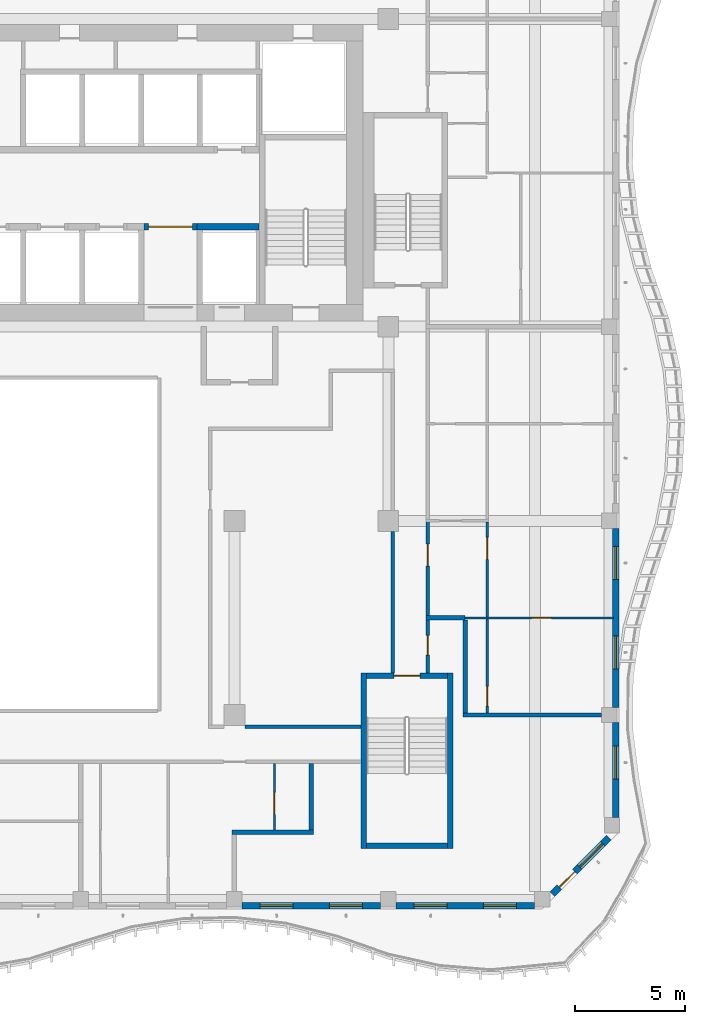
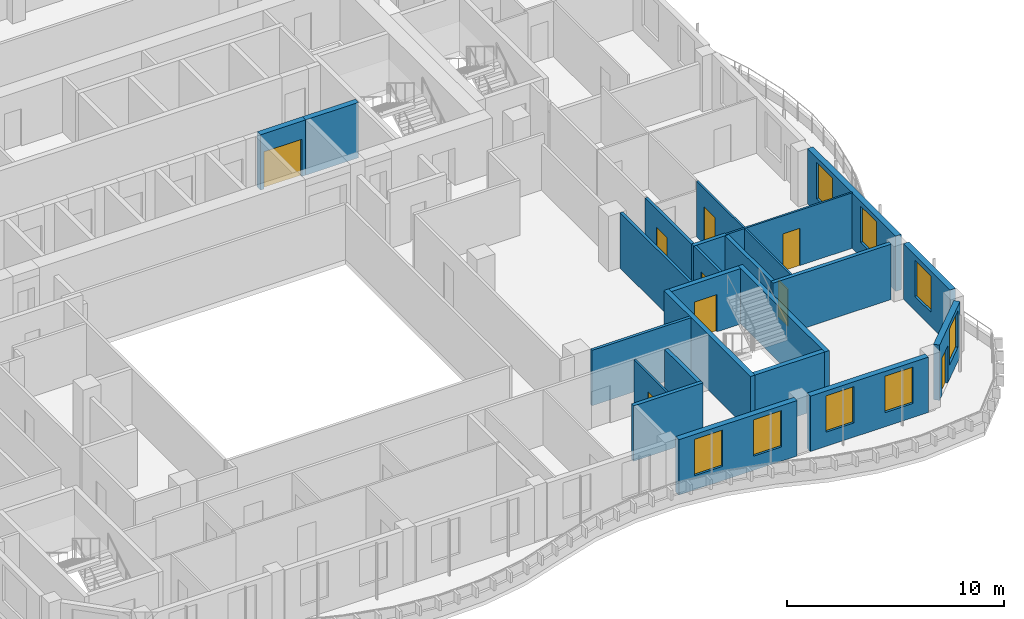
# One storey, part 5 of 20: 24 walls, 9 doors, 8 windows, 17 openings.
"""IFC4 building model written with IfcOpenShell, lengths in metres."""

from ifc_helpers import new_model, si_unit, direction, frame, frame_2d, origin, place, context, subcontext, project, spatial, rectangle, extrude, source, transform, mapped, material, layer, layer_set, type_object, element, fill, save


model = new_model("IFC4")

# Units and contexts
model_context = context("Model", 3, precision=1e-05, world=origin(), true_north=direction((0.0, 1.0)))
body_context = subcontext(model_context, "Body", "Model", "MODEL_VIEW")
ifc_project = project(units=[si_unit("LENGTHUNIT", "METRE"), si_unit("AREAUNIT", "SQUARE_METRE"), si_unit("VOLUMEUNIT", "CUBIC_METRE"), si_unit("PLANEANGLEUNIT", "RADIAN"), si_unit("MASSUNIT", "GRAM", prefix="KILO")], contexts=[model_context])

# Site, building, storey
site_placement = place(None, origin())
site = spatial("IfcSite", under=ifc_project, at=site_placement, CompositionType="ELEMENT")
building_placement = place(site_placement, origin())
building = spatial("IfcBuilding", under=site, at=building_placement, Name="Kilnfold Tower and Market Hall", CompositionType="ELEMENT")
storey_placement = place(building_placement, frame((0.0, 0.0, 239.0)))
storey = spatial("IfcBuildingStorey", under=building, at=storey_placement, Name="L57", CompositionType="ELEMENT", Elevation=239.0)

# Wall, opening, door
ifc_material_1 = material(Name="Gypsum board on steel studs", Category="steel")
ifc_layer_1 = layer(ifc_material_1, 0.14990234375)
ifc_layer_set_1 = layer_set([ifc_layer_1], Name="Gypsum board on steel studs")
wall_type_1 = type_object("IfcWallType", Name="WALL CORRIDOR 150", PredefinedType="PARTITIONING", material=ifc_layer_set_1)
wall_1_placement = place(storey_placement, frame((20.800048828125, -7.75, 0.0), z_axis=(0.0, 0.0, 1.0), x_axis=(0.0, 1.0, 0.0)))
wall_1 = element("IfcWall", 1, at=wall_1_placement, inside=storey, type_object=wall_type_1, Name="Partition LY35.12", PredefinedType="PARTITIONING", context=body_context, shape_type="SweptSolid", body=[
    extrude(rectangle(XDim=2.409912109375, YDim=0.14990234375, at=frame_2d((1.205078125, 0.0))), origin(), (0.0, 0.0, 1.0), 3.1201171875),
])
opening_1_placement = place(wall_1_placement, frame((0.804931640625, 0.0, 0.0)))
opening_1 = element("IfcOpeningElement", 2, at=opening_1_placement, cuts=wall_1, Name="Opening D2", PredefinedType="OPENING", context=body_context, shape_type="SweptSolid", body=[
    extrude(rectangle(XDim=0.89990234375, YDim=2.10009765625, at=frame_2d((0.449951171875, 1.050048828125))), frame((0.0, 0.0849609375, 0.0), z_axis=(0.0, -1.0, 0.0), x_axis=(1.0, 0.0, 0.0)), (0.0, 0.0, 1.0), 0.169921875),
])
ifc_material_2 = material(Name="Timber veneer door leaf in steel frame", Category="steel")
door_type_1 = type_object("IfcDoorType", Name="DOOR ROOM 900 X2100", OperationType="NOTDEFINED", PredefinedType="DOOR", material=ifc_material_2)
door_1_placement = place(opening_1_placement, origin())
door_1 = element("IfcDoor", 3, at=door_1_placement, inside=storey, type_object=door_type_1, Name="Door D2", OperationType="SINGLE_SWING_LEFT", OverallHeight=2.10009765625, OverallWidth=0.89990234375, PredefinedType="DOOR", context=body_context, shape_type="SweptSolid", body=[
    extrude(rectangle(XDim=0.89990234375, YDim=2.10009765625, at=frame_2d((0.449951171875, 1.050048828125))), frame((0.0, 0.02490234375, 0.0), z_axis=(0.0, -1.0, 0.0), x_axis=(1.0, 0.0, 0.0)), (0.0, 0.0, 1.0), 0.050048828125),
])
fill(opening_1, door_1)

wall_2_placement = place(storey_placement, frame((20.800048828125, -5.159912109375, 0.0), z_axis=(0.0, 0.0, 1.0), x_axis=(0.0, 1.0, 0.0)))
wall_2 = element("IfcWall", 4, at=wall_2_placement, inside=storey, type_object=wall_type_1, Name="Partition LY35.13", PredefinedType="PARTITIONING", context=body_context, shape_type="SweptSolid", body=[
    extrude(rectangle(XDim=4.286865234375, YDim=0.14990234375, at=frame_2d((2.1435546875, 0.0))), origin(), (0.0, 0.0, 1.0), 3.1201171875),
])
opening_2_placement = place(wall_2_placement, frame((2.261962890625, 0.0, 0.0)))
opening_2 = element("IfcOpeningElement", 5, at=opening_2_placement, cuts=wall_2, Name="Opening D1", PredefinedType="OPENING", context=body_context, shape_type="SweptSolid", body=[
    extrude(rectangle(XDim=1.0, YDim=2.10009765625, at=frame_2d((0.5, 1.050048828125))), frame((0.0, 0.0849609375, 0.0), z_axis=(0.0, -1.0, 0.0), x_axis=(1.0, 0.0, 0.0)), (0.0, 0.0, 1.0), 0.169921875),
])
ifc_material_3 = material(Name="Timber veneer door leaf in steel frame", Category="steel")
door_type_2 = type_object("IfcDoorType", Name="DOOR ENTRY 1000 X2100", OperationType="NOTDEFINED", PredefinedType="DOOR", material=ifc_material_3)
door_2_placement = place(opening_2_placement, origin())
door_2 = element("IfcDoor", 6, at=door_2_placement, inside=storey, type_object=door_type_2, Name="Door D1", OperationType="SINGLE_SWING_LEFT", OverallHeight=2.10009765625, OverallWidth=1.0, PredefinedType="DOOR", context=body_context, shape_type="SweptSolid", body=[
    extrude(rectangle(XDim=1.0, YDim=2.10009765625, at=frame_2d((0.5, 1.050048828125))), frame((0.0, 0.02490234375, 0.0), z_axis=(0.0, -1.0, 0.0), x_axis=(1.0, 0.0, 0.0)), (0.0, 0.0, 1.0), 0.050048828125),
])
fill(opening_2, door_2)

# Walls
wall_3_placement = place(storey_placement, frame((19.199951171875, -7.75, 0.0), z_axis=(0.0, 0.0, 1.0), x_axis=(0.0, 1.0, 0.0)))
element("IfcWall", 7, at=wall_3_placement, inside=storey, type_object=wall_type_1, Name="Partition LY35.40", PredefinedType="PARTITIONING", context=body_context, shape_type="SweptSolid", body=[
    extrude(rectangle(XDim=6.44189453125, YDim=0.14990234375, at=frame_2d((3.220947265625, 0.0))), origin(), (0.0, 0.0, 1.0), 3.1201171875),
])
wall_4_placement = place(storey_placement, frame((12.47509765625, -10.199951171875, 0.0), z_axis=(0.0, 0.0, 1.0), x_axis=(1.0, 0.0, 0.0)))
element("IfcWall", 8, at=wall_4_placement, inside=storey, type_object=wall_type_1, Name="Partition LY35.46", PredefinedType="PARTITIONING", context=body_context, shape_type="SweptSolid", body=[
    extrude(rectangle(XDim=5.27490234375, YDim=0.14990234375, at=frame_2d((2.637451171875, 0.0))), origin(), (0.0, 0.0, 1.0), 3.1201171875),
])

# Wall, opening, door
ifc_material_4 = material(Name="Gypsum board on steel studs", Category="steel")
ifc_layer_2 = layer(ifc_material_4, 0.10009765625)
ifc_layer_set_2 = layer_set([ifc_layer_2], Name="Gypsum board on steel studs")
wall_type_2 = type_object("IfcWallType", Name="WALL PARTITION 100", PredefinedType="PARTITIONING", material=ifc_layer_set_2)
wall_5_placement = place(storey_placement, frame((13.820068359375, -14.89990234375, 0.0), z_axis=(0.0, 0.0, 1.0), x_axis=(0.0, 1.0, 0.0)))
wall_5 = element("IfcWall", 9, at=wall_5_placement, inside=storey, type_object=wall_type_2, Name="Partition LY35.65", PredefinedType="PARTITIONING", context=body_context, shape_type="SweptSolid", body=[
    extrude(rectangle(XDim=3.02294921875, YDim=0.10009765625, at=frame_2d((1.511474609375, 0.0))), origin(), (0.0, 0.0, 1.0), 3.1201171875),
])
opening_3_placement = place(wall_5_placement, frame((0.70703125, 0.0, 0.0)))
opening_3 = element("IfcOpeningElement", 10, at=opening_3_placement, cuts=wall_5, Name="Opening D1", PredefinedType="OPENING", context=body_context, shape_type="SweptSolid", body=[
    extrude(rectangle(XDim=1.0, YDim=2.10009765625, at=frame_2d((0.5, 1.050048828125))), frame((0.0, 0.06005859375, 0.0), z_axis=(0.0, -1.0, 0.0), x_axis=(1.0, 0.0, 0.0)), (0.0, 0.0, 1.0), 0.1201171875),
])
door_3_placement = place(opening_3_placement, origin())
door_3 = element("IfcDoor", 11, at=door_3_placement, inside=storey, type_object=door_type_2, Name="Door D1", OperationType="SINGLE_SWING_RIGHT", OverallHeight=2.10009765625, OverallWidth=1.0, PredefinedType="DOOR", context=body_context, shape_type="SweptSolid", body=[
    extrude(rectangle(XDim=1.0, YDim=2.10009765625, at=frame_2d((0.5, 1.050048828125))), frame((0.0, 0.02490234375, 0.0), z_axis=(0.0, -1.0, 0.0), x_axis=(1.0, 0.0, 0.0)), (0.0, 0.0, 1.0), 0.050048828125),
])
fill(opening_3, door_3)

wall_6_placement = place(storey_placement, frame((22.5, -5.25, 0.0), z_axis=(0.0, 0.0, 1.0), x_axis=(1.0, 0.0, 0.0)))
wall_6 = element("IfcWall", 12, at=wall_6_placement, inside=storey, type_object=wall_type_2, Name="Partition LY35.72", PredefinedType="PARTITIONING", context=body_context, shape_type="SweptSolid", body=[
    extrude(rectangle(XDim=6.75, YDim=0.10009765625, at=frame_2d((3.375, 0.0))), origin(), (0.0, 0.0, 1.0), 3.1201171875),
])
opening_4_placement = place(wall_6_placement, frame((3.02197265625, 0.0, 0.0)))
opening_4 = element("IfcOpeningElement", 13, at=opening_4_placement, cuts=wall_6, Name="Opening D2", PredefinedType="OPENING", context=body_context, shape_type="SweptSolid", body=[
    extrude(rectangle(XDim=0.89990234375, YDim=2.10009765625, at=frame_2d((0.449951171875, 1.050048828125))), frame((0.0, 0.06005859375, 0.0), z_axis=(0.0, -1.0, 0.0), x_axis=(1.0, 0.0, 0.0)), (0.0, 0.0, 1.0), 0.1201171875),
])
door_4_placement = place(opening_4_placement, origin())
door_4 = element("IfcDoor", 14, at=door_4_placement, inside=storey, type_object=door_type_1, Name="Door D2", OperationType="SINGLE_SWING_RIGHT", OverallHeight=2.10009765625, OverallWidth=0.89990234375, PredefinedType="DOOR", context=body_context, shape_type="SweptSolid", body=[
    extrude(rectangle(XDim=0.89990234375, YDim=2.10009765625, at=frame_2d((0.449951171875, 1.050048828125))), frame((0.0, 0.02490234375, 0.0), z_axis=(0.0, -1.0, 0.0), x_axis=(1.0, 0.0, 0.0)), (0.0, 0.0, 1.0), 0.050048828125),
])
fill(opening_4, door_4)

wall_7_placement = place(storey_placement, frame((23.5, -9.56689453125, 0.0), z_axis=(0.0, 0.0, 1.0), x_axis=(0.0, 1.0, 0.0)))
wall_7 = element("IfcWall", 15, at=wall_7_placement, inside=storey, type_object=wall_type_2, Name="Partition LY35.73", PredefinedType="PARTITIONING", context=body_context, shape_type="SweptSolid", body=[
    extrude(rectangle(XDim=4.266845703125, YDim=0.10009765625, at=frame_2d((2.13330078125, 0.0))), origin(), (0.0, 0.0, 1.0), 3.1201171875),
])
opening_5_placement = place(wall_7_placement, frame((0.302001953125, 0.0, 0.0)))
opening_5 = element("IfcOpeningElement", 16, at=opening_5_placement, cuts=wall_7, Name="Opening D2", PredefinedType="OPENING", context=body_context, shape_type="SweptSolid", body=[
    extrude(rectangle(XDim=0.89990234375, YDim=2.10009765625, at=frame_2d((0.449951171875, 1.050048828125))), frame((0.0, 0.06005859375, 0.0), z_axis=(0.0, -1.0, 0.0), x_axis=(1.0, 0.0, 0.0)), (0.0, 0.0, 1.0), 0.1201171875),
])
door_5_placement = place(opening_5_placement, origin())
door_5 = element("IfcDoor", 17, at=door_5_placement, inside=storey, type_object=door_type_1, Name="Door D2", OperationType="SINGLE_SWING_RIGHT", OverallHeight=2.10009765625, OverallWidth=0.89990234375, PredefinedType="DOOR", context=body_context, shape_type="SweptSolid", body=[
    extrude(rectangle(XDim=0.89990234375, YDim=2.10009765625, at=frame_2d((0.449951171875, 1.050048828125))), frame((0.0, 0.02490234375, 0.0), z_axis=(0.0, -1.0, 0.0), x_axis=(1.0, 0.0, 0.0)), (0.0, 0.0, 1.0), 0.050048828125),
])
fill(opening_5, door_5)

wall_8_placement = place(storey_placement, frame((23.5, -5.199951171875, 0.0), z_axis=(0.0, 0.0, 1.0), x_axis=(0.0, 1.0, 0.0)))
wall_8 = element("IfcWall", 18, at=wall_8_placement, inside=storey, type_object=wall_type_2, Name="Partition LY35.75", PredefinedType="PARTITIONING", context=body_context, shape_type="SweptSolid", body=[
    extrude(rectangle(XDim=4.31689453125, YDim=0.10009765625, at=frame_2d((2.158447265625, 0.0))), origin(), (0.0, 0.0, 1.0), 3.1201171875),
])
opening_6_placement = place(wall_8_placement, frame((2.614013671875, 0.0, 0.0)))
opening_6 = element("IfcOpeningElement", 19, at=opening_6_placement, cuts=wall_8, Name="Opening D1", PredefinedType="OPENING", context=body_context, shape_type="SweptSolid", body=[
    extrude(rectangle(XDim=1.0, YDim=2.10009765625, at=frame_2d((0.5, 1.050048828125))), frame((0.0, 0.06005859375, 0.0), z_axis=(0.0, -1.0, 0.0), x_axis=(1.0, 0.0, 0.0)), (0.0, 0.0, 1.0), 0.1201171875),
])
door_6_placement = place(opening_6_placement, origin())
door_6 = element("IfcDoor", 20, at=door_6_placement, inside=storey, type_object=door_type_2, Name="Door D1", OperationType="SINGLE_SWING_LEFT", OverallHeight=2.10009765625, OverallWidth=1.0, PredefinedType="DOOR", context=body_context, shape_type="SweptSolid", body=[
    extrude(rectangle(XDim=1.0, YDim=2.10009765625, at=frame_2d((0.5, 1.050048828125))), frame((0.0, 0.02490234375, 0.0), z_axis=(0.0, -1.0, 0.0), x_axis=(1.0, 0.0, 0.0)), (0.0, 0.0, 1.0), 0.050048828125),
])
fill(opening_6, door_6)

# Walls
ifc_material_5 = material(Name="Gypsum board on steel studs", Category="steel")
ifc_layer_3 = layer(ifc_material_5, 0.199951171875)
ifc_layer_set_3 = layer_set([ifc_layer_3], Name="Gypsum board on steel studs")
wall_type_3 = type_object("IfcWallType", Name="WALL PARTY 200", PredefinedType="PARTITIONING", material=ifc_layer_set_3)
wall_9_placement = place(storey_placement, frame((11.89990234375, -15.0, 0.0), z_axis=(0.0, 0.0, 1.0), x_axis=(1.0, 0.0, 0.0)))
element("IfcWall", 21, at=wall_9_placement, inside=storey, type_object=wall_type_3, Name="Partition LY35.66", PredefinedType="PARTITIONING", context=body_context, shape_type="SweptSolid", body=[
    extrude(rectangle(XDim=3.7001953125, YDim=0.199951171875, at=frame_2d((1.85009765625, 0.0))), origin(), (0.0, 0.0, 1.0), 3.1201171875),
])
wall_10_placement = place(storey_placement, frame((15.5, -14.89990234375, 0.0), z_axis=(0.0, 0.0, 1.0), x_axis=(0.0, 1.0, 0.0)))
element("IfcWall", 22, at=wall_10_placement, inside=storey, type_object=wall_type_3, Name="Partition LY35.68", PredefinedType="PARTITIONING", context=body_context, shape_type="SweptSolid", body=[
    extrude(rectangle(XDim=3.02294921875, YDim=0.199951171875, at=frame_2d((1.511474609375, 0.0))), origin(), (0.0, 0.0, 1.0), 3.1201171875),
])
wall_11_placement = place(storey_placement, frame((22.5, -9.56689453125, 0.0), z_axis=(0.0, 0.0, 1.0), x_axis=(0.0, 1.0, 0.0)))
element("IfcWall", 23, at=wall_11_placement, inside=storey, type_object=wall_type_3, Name="Partition LY35.69", PredefinedType="PARTITIONING", context=body_context, shape_type="SweptSolid", body=[
    extrude(rectangle(XDim=4.216796875, YDim=0.199951171875, at=frame_2d((2.1083984375, 0.0))), origin(), (0.0, 0.0, 1.0), 3.1201171875),
])
wall_12_placement = place(storey_placement, frame((22.39990234375, -9.6669921875, 0.0), z_axis=(0.0, 0.0, 1.0), x_axis=(1.0, 0.0, 0.0)))
element("IfcWall", 24, at=wall_12_placement, inside=storey, type_object=wall_type_3, Name="Partition LY35.70", PredefinedType="PARTITIONING", context=body_context, shape_type="SweptSolid", body=[
    extrude(rectangle(XDim=6.300048828125, YDim=0.199951171875, at=frame_2d((3.14990234375, 0.0))), origin(), (0.0, 0.0, 1.0), 3.1201171875),
])
wall_13_placement = place(storey_placement, frame((20.72705078125, -5.25, 0.0), z_axis=(0.0, 0.0, 1.0), x_axis=(1.0, 0.0, 0.0)))
element("IfcWall", 25, at=wall_13_placement, inside=storey, type_object=wall_type_3, Name="Partition LY35.71", PredefinedType="PARTITIONING", context=body_context, shape_type="SweptSolid", body=[
    extrude(rectangle(XDim=1.77294921875, YDim=0.199951171875, at=frame_2d((0.886474609375, 0.0))), origin(), (0.0, 0.0, 1.0), 3.1201171875),
])
ifc_material_6 = material(Name="Concrete C60", Category="concrete")
ifc_layer_4 = layer(ifc_material_6, 0.25)
ifc_layer_set_4 = layer_set([ifc_layer_4], Name="Concrete C60")
wall_type_4 = type_object("IfcWallType", Name="CORE WALL 250 C60", PredefinedType="SHEAR", material=ifc_layer_set_4)
shared_shape_1 = source(origin(), body_context, "Body", "SweptSolid", [
    extrude(rectangle(XDim=3.699951171875, YDim=0.25, at=frame_2d((1.85009765625, 0.0))), origin(), (0.0, 0.0, 1.0), 3.1201171875),
])
wall_14_placement = place(storey_placement, frame((18.0, -15.625, 0.0), z_axis=(0.0, 0.0, 1.0), x_axis=(1.0, 0.0, 0.0)))
element("IfcWall", 26, at=wall_14_placement, inside=storey, type_object=wall_type_4, Name="Stair enclosure ST4", PredefinedType="SHEAR", context=body_context, shape_type="MappedRepresentation", body=[
    mapped(shared_shape_1, transform((0.0, 0.0, 0.0))),
])

# Wall, opening, door
wall_15_placement = place(storey_placement, frame((18.0, -7.875, 0.0), z_axis=(0.0, 0.0, 1.0), x_axis=(1.0, 0.0, 0.0)))
wall_15 = element("IfcWall", 27, at=wall_15_placement, inside=storey, type_object=wall_type_4, Name="Stair enclosure ST4", PredefinedType="SHEAR", context=body_context, shape_type="MappedRepresentation", body=[
    mapped(shared_shape_1, transform((0.0, 0.0, 0.0))),
])
opening_7_placement = place(wall_15_placement, frame((1.25, 0.0, 0.0)))
opening_7 = element("IfcOpeningElement", 28, at=opening_7_placement, cuts=wall_15, Name="Opening SD1", PredefinedType="OPENING", context=body_context, shape_type="SweptSolid", body=[
    extrude(rectangle(XDim=1.199951171875, YDim=2.10009765625, at=frame_2d((0.60009765625, 1.050048828125))), frame((0.0, 0.135009765625, 0.0), z_axis=(0.0, -1.0, 0.0), x_axis=(1.0, 0.0, 0.0)), (0.0, 0.0, 1.0), 0.27001953125),
])
ifc_material_7 = material(Name="Steel door set with fire-resisting leaf", Category="steel")
door_type_3 = type_object("IfcDoorType", Name="STAIR FLOOR DOOR 1200X2100", OperationType="NOTDEFINED", PredefinedType="DOOR", material=ifc_material_7)
door_7_placement = place(opening_7_placement, origin())
door_7 = element("IfcDoor", 29, at=door_7_placement, inside=storey, type_object=door_type_3, Name="Exit stair ST4 door", OperationType="DOUBLE_DOOR_SINGLE_SWING", OverallHeight=2.10009765625, OverallWidth=1.199951171875, PredefinedType="DOOR", context=body_context, shape_type="SweptSolid", body=[
    extrude(rectangle(XDim=1.199951171875, YDim=2.10009765625, at=frame_2d((0.60009765625, 1.050048828125))), frame((0.0, 0.02490234375, 0.0), z_axis=(0.0, -1.0, 0.0), x_axis=(1.0, 0.0, 0.0)), (0.0, 0.0, 1.0), 0.050048828125),
])
fill(opening_7, door_7)

# Walls
shared_shape_2 = source(origin(), body_context, "Body", "SweptSolid", [
    extrude(rectangle(XDim=8.0, YDim=0.25, at=frame_2d((4.0, 0.0))), origin(), (0.0, 0.0, 1.0), 3.1201171875),
])
for number, where, z_axis, x_axis, name in (
    (30, (17.875, -15.75, 0.0), (0.0, 0.0, 1.0), (0.0, 1.0, 0.0), "Stair enclosure ST4"),
    (31, (21.824951171875, -15.75, 0.0), (0.0, 0.0, 1.0), (0.0, 1.0, 0.0), "Stair enclosure ST4"),
):
    element("IfcWall", number, at=place(storey_placement, frame(where, z_axis=z_axis, x_axis=x_axis)), inside=storey, type_object=wall_type_4, Name=name, PredefinedType="SHEAR", context=body_context, shape_type="MappedRepresentation", body=[
        mapped(shared_shape_2, transform((0.0, 0.0, 0.0))),
    ])
ifc_material_8 = material(Name="Concrete C60", Category="concrete")
ifc_layer_5 = layer(ifc_material_8, 0.300048828125)
ifc_layer_set_5 = layer_set([ifc_layer_5], Name="Concrete C60")
wall_type_5 = type_object("IfcWallType", Name="CORE WALL 300 C60", PredefinedType="SHEAR", material=ifc_layer_set_5)
shared_shape_3 = source(origin(), body_context, "Body", "SweptSolid", [
    extrude(rectangle(XDim=2.820068359375, YDim=0.300048828125, at=frame_2d((1.41015625, 0.0))), origin(), (0.0, 0.0, 1.0), 3.1201171875),
])
wall_16_placement = place(storey_placement, frame((10.2900390625, 12.550048828125, 0.0), z_axis=(0.0, 0.0, 1.0), x_axis=(1.0, 0.0, 0.0)))
element("IfcWall", 32, at=wall_16_placement, inside=storey, type_object=wall_type_5, Name="Core spine wall", PredefinedType="SHEAR", context=body_context, shape_type="MappedRepresentation", body=[
    mapped(shared_shape_3, transform((0.0, 0.0, 0.0))),
])

# Wall, openings, windows
ifc_material_9 = material(Name="Precast concrete C50/60", Category="concrete")
ifc_layer_6 = layer(ifc_material_9, 0.300048828125)
ifc_layer_set_6 = layer_set([ifc_layer_6], Name="Precast concrete C50/60")
wall_type_6 = type_object("IfcWallType", Name="PRECAST WALL 300", PredefinedType="SOLIDWALL", material=ifc_layer_set_6)
shared_shape_4 = source(origin(), body_context, "Body", "SweptSolid", [
    extrude(rectangle(XDim=6.2998046875, YDim=0.300048828125, at=frame_2d((3.14990234375, 0.0))), origin(), (0.0, 0.0, 1.0), 3.1201171875),
])
wall_17_placement = place(storey_placement, frame((12.35009765625, -18.35009765625, 0.0), z_axis=(0.0, 0.0, 1.0), x_axis=(1.0, 0.0, 0.0)))
wall_17 = element("IfcWall", 33, at=wall_17_placement, inside=storey, type_object=wall_type_6, Name="External wall L57 S", PredefinedType="SOLIDWALL", context=body_context, shape_type="MappedRepresentation", body=[
    mapped(shared_shape_4, transform((0.0, 0.0, 0.0))),
])
opening_8_placement = place(wall_17_placement, frame((0.824951171875, 0.0, 0.800048828125)))
opening_8 = element("IfcOpeningElement", 34, at=opening_8_placement, cuts=wall_17, Name="Opening W5", PredefinedType="OPENING", context=body_context, shape_type="SweptSolid", body=[
    extrude(rectangle(XDim=1.5, YDim=2.050048828125, at=frame_2d((0.75, 1.02490234375))), frame((0.0, 0.16015625, 0.0), z_axis=(0.0, -1.0, 0.0), x_axis=(1.0, 0.0, 0.0)), (0.0, 0.0, 1.0), 0.320068359375),
])
opening_9_placement = place(wall_17_placement, frame((3.97509765625, 0.0, 0.800048828125)))
opening_9 = element("IfcOpeningElement", 35, at=opening_9_placement, cuts=wall_17, Name="Opening W5", PredefinedType="OPENING", context=body_context, shape_type="SweptSolid", body=[
    extrude(rectangle(XDim=1.5, YDim=2.050048828125, at=frame_2d((0.75, 1.02490234375))), frame((0.0, 0.16015625, 0.0), z_axis=(0.0, -1.0, 0.0), x_axis=(1.0, 0.0, 0.0)), (0.0, 0.0, 1.0), 0.320068359375),
])
ifc_material_10 = material(Name="Aluminium frame and double glazing", Category="aluminium")
window_type = type_object("IfcWindowType", Name="WINDOW W5 1500X2050", PartitioningType="SINGLE_PANEL", PredefinedType="WINDOW", material=ifc_material_10)
window_1_placement = place(opening_8_placement, origin())
window_1 = element("IfcWindow", 36, at=window_1_placement, inside=storey, type_object=window_type, Name="Window W5 L57 S-1", OverallHeight=2.050048828125, OverallWidth=1.5, PartitioningType="SINGLE_PANEL", PredefinedType="WINDOW", context=body_context, shape_type="SweptSolid", body=[
    extrude(rectangle(XDim=1.5, YDim=2.050048828125, at=frame_2d((0.75, 1.02490234375))), frame((0.0, 0.030029296875, 0.0), z_axis=(0.0, -1.0, 0.0), x_axis=(1.0, 0.0, 0.0)), (0.0, 0.0, 1.0), 0.06005859375),
])
fill(opening_8, window_1)
window_2_placement = place(opening_9_placement, origin())
window_2 = element("IfcWindow", 37, at=window_2_placement, inside=storey, type_object=window_type, Name="Window W5 L57 S-2", OverallHeight=2.050048828125, OverallWidth=1.5, PartitioningType="SINGLE_PANEL", PredefinedType="WINDOW", context=body_context, shape_type="SweptSolid", body=[
    extrude(rectangle(XDim=1.5, YDim=2.050048828125, at=frame_2d((0.75, 1.02490234375))), frame((0.0, 0.030029296875, 0.0), z_axis=(0.0, -1.0, 0.0), x_axis=(1.0, 0.0, 0.0)), (0.0, 0.0, 1.0), 0.06005859375),
])
fill(opening_9, window_2)

wall_18_placement = place(storey_placement, frame((19.35009765625, -18.35009765625, 0.0), z_axis=(0.0, 0.0, 1.0), x_axis=(1.0, 0.0, 0.0)))
wall_18 = element("IfcWall", 38, at=wall_18_placement, inside=storey, type_object=wall_type_6, Name="External wall L57 S", PredefinedType="SOLIDWALL", context=body_context, shape_type="MappedRepresentation", body=[
    mapped(shared_shape_4, transform((0.0, 0.0, 0.0))),
])
opening_10_placement = place(wall_18_placement, frame((0.824951171875, 0.0, 0.800048828125)))
opening_10 = element("IfcOpeningElement", 39, at=opening_10_placement, cuts=wall_18, Name="Opening W5", PredefinedType="OPENING", context=body_context, shape_type="SweptSolid", body=[
    extrude(rectangle(XDim=1.5, YDim=2.050048828125, at=frame_2d((0.75, 1.02490234375))), frame((0.0, 0.16015625, 0.0), z_axis=(0.0, -1.0, 0.0), x_axis=(1.0, 0.0, 0.0)), (0.0, 0.0, 1.0), 0.320068359375),
])
opening_11_placement = place(wall_18_placement, frame((3.97509765625, 0.0, 0.800048828125)))
opening_11 = element("IfcOpeningElement", 40, at=opening_11_placement, cuts=wall_18, Name="Opening W5", PredefinedType="OPENING", context=body_context, shape_type="SweptSolid", body=[
    extrude(rectangle(XDim=1.5, YDim=2.050048828125, at=frame_2d((0.75, 1.02490234375))), frame((0.0, 0.16015625, 0.0), z_axis=(0.0, -1.0, 0.0), x_axis=(1.0, 0.0, 0.0)), (0.0, 0.0, 1.0), 0.320068359375),
])
window_3_placement = place(opening_10_placement, origin())
window_3 = element("IfcWindow", 41, at=window_3_placement, inside=storey, type_object=window_type, Name="Window W5 L57 S-1", OverallHeight=2.050048828125, OverallWidth=1.5, PartitioningType="SINGLE_PANEL", PredefinedType="WINDOW", context=body_context, shape_type="SweptSolid", body=[
    extrude(rectangle(XDim=1.5, YDim=2.050048828125, at=frame_2d((0.75, 1.02490234375))), frame((0.0, 0.030029296875, 0.0), z_axis=(0.0, -1.0, 0.0), x_axis=(1.0, 0.0, 0.0)), (0.0, 0.0, 1.0), 0.06005859375),
])
fill(opening_10, window_3)
window_4_placement = place(opening_11_placement, origin())
window_4 = element("IfcWindow", 42, at=window_4_placement, inside=storey, type_object=window_type, Name="Window W5 L57 S-2", OverallHeight=2.050048828125, OverallWidth=1.5, PartitioningType="SINGLE_PANEL", PredefinedType="WINDOW", context=body_context, shape_type="SweptSolid", body=[
    extrude(rectangle(XDim=1.5, YDim=2.050048828125, at=frame_2d((0.75, 1.02490234375))), frame((0.0, 0.030029296875, 0.0), z_axis=(0.0, -1.0, 0.0), x_axis=(1.0, 0.0, 0.0)), (0.0, 0.0, 1.0), 0.06005859375),
])
fill(opening_11, window_4)

# Wall, openings, door, window
shared_shape_5 = source(origin(), body_context, "Body", "SweptSolid", [
    extrude(rectangle(XDim=3.6416015625, YDim=0.300048828125, at=frame_2d((1.82080078125, 0.0))), origin(), (0.0, 0.0, 1.0), 3.1201171875),
])
wall_19_placement = place(storey_placement, frame((26.468994140625, -17.81884765625, 0.0), z_axis=(0.0, 0.0, 1.0), x_axis=(0.707106781187, 0.707106781187, 0.0)))
wall_19 = element("IfcWall", 43, at=wall_19_placement, inside=storey, type_object=wall_type_6, Name="External wall L57 SE", PredefinedType="SOLIDWALL", context=body_context, shape_type="MappedRepresentation", body=[
    mapped(shared_shape_5, transform((0.0, 0.0, 0.0))),
])
opening_12_placement = place(wall_19_placement, frame((1.75, 0.0, 0.800048828125)))
opening_12 = element("IfcOpeningElement", 44, at=opening_12_placement, cuts=wall_19, Name="Opening W5", PredefinedType="OPENING", context=body_context, shape_type="SweptSolid", body=[
    extrude(rectangle(XDim=1.5, YDim=2.050048828125, at=frame_2d((0.75, 1.02490234375))), frame((0.0, 0.16015625, 0.0), z_axis=(0.0, -1.0, 0.0), x_axis=(1.0, 0.0, 0.0)), (0.0, 0.0, 1.0), 0.320068359375),
])
opening_13_placement = place(wall_19_placement, frame((0.449951171875, 0.0, 0.0)))
opening_13 = element("IfcOpeningElement", 45, at=opening_13_placement, cuts=wall_19, Name="Opening BD1", PredefinedType="OPENING", context=body_context, shape_type="SweptSolid", body=[
    extrude(rectangle(XDim=1.0, YDim=2.10009765625, at=frame_2d((0.5, 1.050048828125))), frame((0.0, 0.16015625, 0.0), z_axis=(0.0, -1.0, 0.0), x_axis=(1.0, 0.0, 0.0)), (0.0, 0.0, 1.0), 0.320068359375),
])
ifc_material_11 = material(Name="Aluminium frame and double glazing", Category="aluminium")
door_type_4 = type_object("IfcDoorType", Name="BALCONY DOOR 1000X2100", OperationType="NOTDEFINED", PredefinedType="DOOR", material=ifc_material_11)
door_8_placement = place(opening_13_placement, origin())
door_8 = element("IfcDoor", 46, at=door_8_placement, inside=storey, type_object=door_type_4, Name="Balcony door BD1 L57 SE-1", OperationType="SINGLE_SWING_LEFT", OverallHeight=2.10009765625, OverallWidth=1.0, PredefinedType="DOOR", context=body_context, shape_type="SweptSolid", body=[
    extrude(rectangle(XDim=1.0, YDim=2.10009765625, at=frame_2d((0.5, 1.050048828125))), frame((0.0, 0.02490234375, 0.0), z_axis=(0.0, -1.0, 0.0), x_axis=(1.0, 0.0, 0.0)), (0.0, 0.0, 1.0), 0.050048828125),
])
fill(opening_13, door_8)
window_5_placement = place(opening_12_placement, origin())
window_5 = element("IfcWindow", 47, at=window_5_placement, inside=storey, type_object=window_type, Name="Window W5 L57 SE-1", OverallHeight=2.050048828125, OverallWidth=1.5, PartitioningType="SINGLE_PANEL", PredefinedType="WINDOW", context=body_context, shape_type="SweptSolid", body=[
    extrude(rectangle(XDim=1.5, YDim=2.050048828125, at=frame_2d((0.75, 1.02490234375))), frame((0.0, 0.030029296875, 0.0), z_axis=(0.0, -1.0, 0.0), x_axis=(1.0, 0.0, 0.0)), (0.0, 0.0, 1.0), 0.06005859375),
])
fill(opening_12, window_5)

# Wall, opening, window
shared_shape_6 = source(origin(), body_context, "Body", "SweptSolid", [
    extrude(rectangle(XDim=4.315185546875, YDim=0.300048828125, at=frame_2d((2.15771484375, 0.0))), origin(), (0.0, 0.0, 1.0), 3.1201171875),
])
wall_20_placement = place(storey_placement, frame((29.35009765625, -14.331787109375, 0.0), z_axis=(0.0, 0.0, 1.0), x_axis=(0.0, 1.0, 0.0)))
wall_20 = element("IfcWall", 48, at=wall_20_placement, inside=storey, type_object=wall_type_6, Name="External wall L57 E", PredefinedType="SOLIDWALL", context=body_context, shape_type="MappedRepresentation", body=[
    mapped(shared_shape_6, transform((0.0, 0.0, 0.0))),
])
opening_14_placement = place(wall_20_placement, frame((1.75, 0.0, 0.800048828125)))
opening_14 = element("IfcOpeningElement", 49, at=opening_14_placement, cuts=wall_20, Name="Opening W5", PredefinedType="OPENING", context=body_context, shape_type="SweptSolid", body=[
    extrude(rectangle(XDim=1.5, YDim=2.050048828125, at=frame_2d((0.75, 1.02490234375))), frame((0.0, 0.16015625, 0.0), z_axis=(0.0, -1.0, 0.0), x_axis=(1.0, 0.0, 0.0)), (0.0, 0.0, 1.0), 0.320068359375),
])
window_6_placement = place(opening_14_placement, origin())
window_6 = element("IfcWindow", 50, at=window_6_placement, inside=storey, type_object=window_type, Name="Window W5 L57 E-1", OverallHeight=2.050048828125, OverallWidth=1.5, PartitioningType="SINGLE_PANEL", PredefinedType="WINDOW", context=body_context, shape_type="SweptSolid", body=[
    extrude(rectangle(XDim=1.5, YDim=2.050048828125, at=frame_2d((0.75, 1.02490234375))), frame((0.0, 0.030029296875, 0.0), z_axis=(0.0, -1.0, 0.0), x_axis=(1.0, 0.0, 0.0)), (0.0, 0.0, 1.0), 0.06005859375),
])
fill(opening_14, window_6)

# Wall, openings, windows
shared_shape_7 = source(origin(), body_context, "Body", "SweptSolid", [
    extrude(rectangle(XDim=8.13330078125, YDim=0.300048828125, at=frame_2d((4.066650390625, 0.0))), origin(), (0.0, 0.0, 1.0), 3.1201171875),
])
wall_21_placement = place(storey_placement, frame((29.35009765625, -9.316650390625, 0.0), z_axis=(0.0, 0.0, 1.0), x_axis=(0.0, 1.0, 0.0)))
wall_21 = element("IfcWall", 51, at=wall_21_placement, inside=storey, type_object=wall_type_6, Name="External wall L57 E", PredefinedType="SOLIDWALL", context=body_context, shape_type="MappedRepresentation", body=[
    mapped(shared_shape_7, transform((0.0, 0.0, 0.0))),
])
opening_15_placement = place(wall_21_placement, frame((1.75, 0.0, 0.800048828125)))
opening_15 = element("IfcOpeningElement", 52, at=opening_15_placement, cuts=wall_21, Name="Opening W5", PredefinedType="OPENING", context=body_context, shape_type="SweptSolid", body=[
    extrude(rectangle(XDim=1.5, YDim=2.050048828125, at=frame_2d((0.75, 1.02490234375))), frame((0.0, 0.16015625, 0.0), z_axis=(0.0, -1.0, 0.0), x_axis=(1.0, 0.0, 0.0)), (0.0, 0.0, 1.0), 0.320068359375),
])
opening_16_placement = place(wall_21_placement, frame((5.816650390625, 0.0, 0.800048828125)))
opening_16 = element("IfcOpeningElement", 53, at=opening_16_placement, cuts=wall_21, Name="Opening W5", PredefinedType="OPENING", context=body_context, shape_type="SweptSolid", body=[
    extrude(rectangle(XDim=1.5, YDim=2.050048828125, at=frame_2d((0.75, 1.02490234375))), frame((0.0, 0.16015625, 0.0), z_axis=(0.0, -1.0, 0.0), x_axis=(1.0, 0.0, 0.0)), (0.0, 0.0, 1.0), 0.320068359375),
])
window_7_placement = place(opening_15_placement, origin())
window_7 = element("IfcWindow", 54, at=window_7_placement, inside=storey, type_object=window_type, Name="Window W5 L57 E-1", OverallHeight=2.050048828125, OverallWidth=1.5, PartitioningType="SINGLE_PANEL", PredefinedType="WINDOW", context=body_context, shape_type="SweptSolid", body=[
    extrude(rectangle(XDim=1.5, YDim=2.050048828125, at=frame_2d((0.75, 1.02490234375))), frame((0.0, 0.030029296875, 0.0), z_axis=(0.0, -1.0, 0.0), x_axis=(1.0, 0.0, 0.0)), (0.0, 0.0, 1.0), 0.06005859375),
])
fill(opening_15, window_7)
window_8_placement = place(opening_16_placement, origin())
window_8 = element("IfcWindow", 55, at=window_8_placement, inside=storey, type_object=window_type, Name="Window W5 L57 E-2", OverallHeight=2.050048828125, OverallWidth=1.5, PartitioningType="SINGLE_PANEL", PredefinedType="WINDOW", context=body_context, shape_type="SweptSolid", body=[
    extrude(rectangle(XDim=1.5, YDim=2.050048828125, at=frame_2d((0.75, 1.02490234375))), frame((0.0, 0.030029296875, 0.0), z_axis=(0.0, -1.0, 0.0), x_axis=(1.0, 0.0, 0.0)), (0.0, 0.0, 1.0), 0.06005859375),
])
fill(opening_16, window_8)

# Wall, opening, door
ifc_material_12 = material(Name="Gypsum shaft wall system")
ifc_layer_7 = layer(ifc_material_12, 0.300048828125)
ifc_layer_set_7 = layer_set([ifc_layer_7], Name="Gypsum shaft wall system")
wall_type_7 = type_object("IfcWallType", Name="SHAFT WALL 300", PredefinedType="PARTITIONING", material=ifc_layer_set_7)
shared_shape_8 = source(origin(), body_context, "Body", "SweptSolid", [
    extrude(rectangle(XDim=2.400146484375, YDim=0.300048828125, at=frame_2d((1.2001953125, 0.0))), origin(), (0.0, 0.0, 1.0), 3.1201171875),
])
wall_22_placement = place(storey_placement, frame((7.889892578125, 12.550048828125, 0.0), z_axis=(0.0, 0.0, 1.0), x_axis=(1.0, 0.0, 0.0)))
wall_22 = element("IfcWall", 56, at=wall_22_placement, inside=storey, type_object=wall_type_7, Name="Lift shaft front wall", PredefinedType="PARTITIONING", context=body_context, shape_type="MappedRepresentation", body=[
    mapped(shared_shape_8, transform((0.0, 0.0, 0.0))),
])
opening_17_placement = place(wall_22_placement, frame((0.199951171875, 0.0, 0.0)))
opening_17 = element("IfcOpeningElement", 57, at=opening_17_placement, cuts=wall_22, Name="Opening VD2", PredefinedType="OPENING", context=body_context, shape_type="SweptSolid", body=[
    extrude(rectangle(XDim=2.0, YDim=2.10009765625, at=frame_2d((1.0, 1.050048828125))), frame((0.0, 0.16015625, 0.0), z_axis=(0.0, -1.0, 0.0), x_axis=(1.0, 0.0, 0.0)), (0.0, 0.0, 1.0), 0.320068359375),
])
ifc_material_13 = material(Name="Steel door set with fire-resisting leaf", Category="steel")
door_type_5 = type_object("IfcDoorType", Name="LIFT LOBBY ENTRANCE DOOR 2000X2100", OperationType="NOTDEFINED", PredefinedType="DOOR", material=ifc_material_13)
door_9_placement = place(opening_17_placement, origin())
door_9 = element("IfcDoor", 58, at=door_9_placement, inside=storey, type_object=door_type_5, Name="Lift lobby entrance door", OperationType="DOUBLE_DOOR_SINGLE_SWING", OverallHeight=2.10009765625, OverallWidth=2.0, PredefinedType="DOOR", context=body_context, shape_type="SweptSolid", body=[
    extrude(rectangle(XDim=2.0, YDim=2.10009765625, at=frame_2d((1.0, 1.050048828125))), frame((0.0, 0.02490234375, 0.0), z_axis=(0.0, -1.0, 0.0), x_axis=(1.0, 0.0, 0.0)), (0.0, 0.0, 1.0), 0.050048828125),
])
fill(opening_17, door_9)

save(model, "model.ifc")
